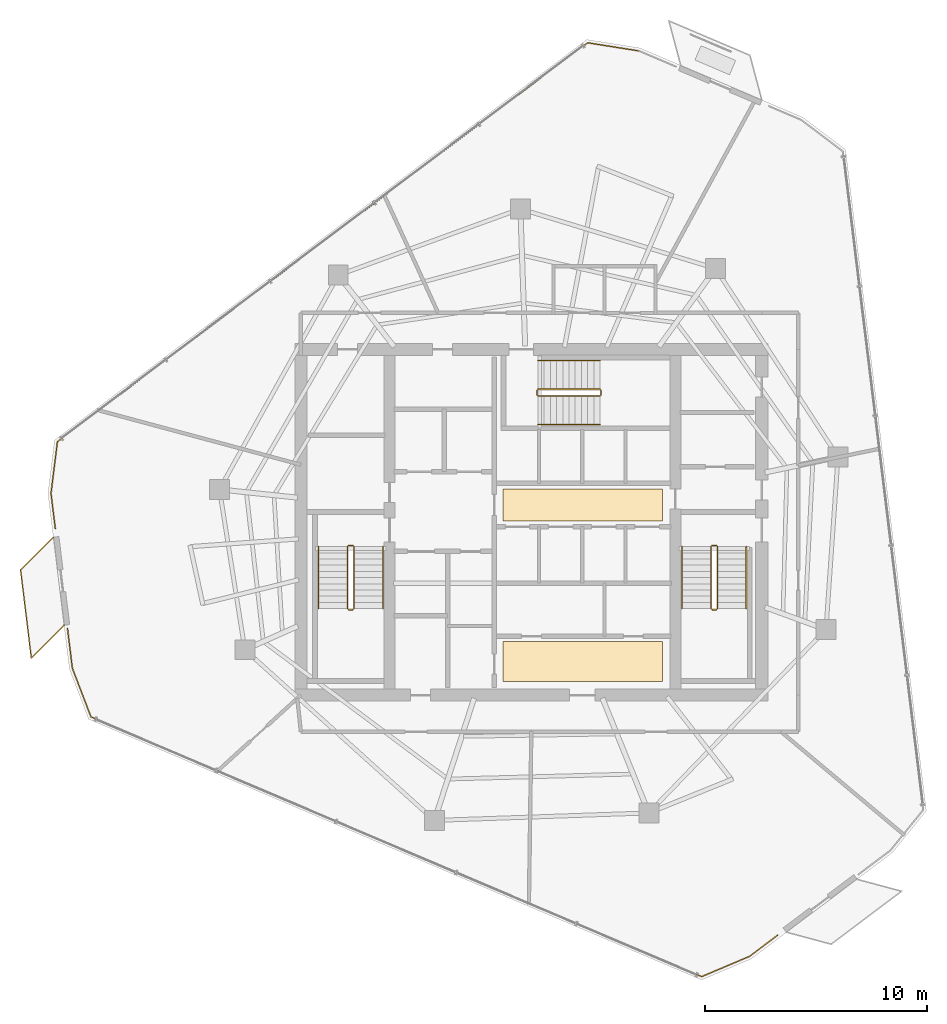
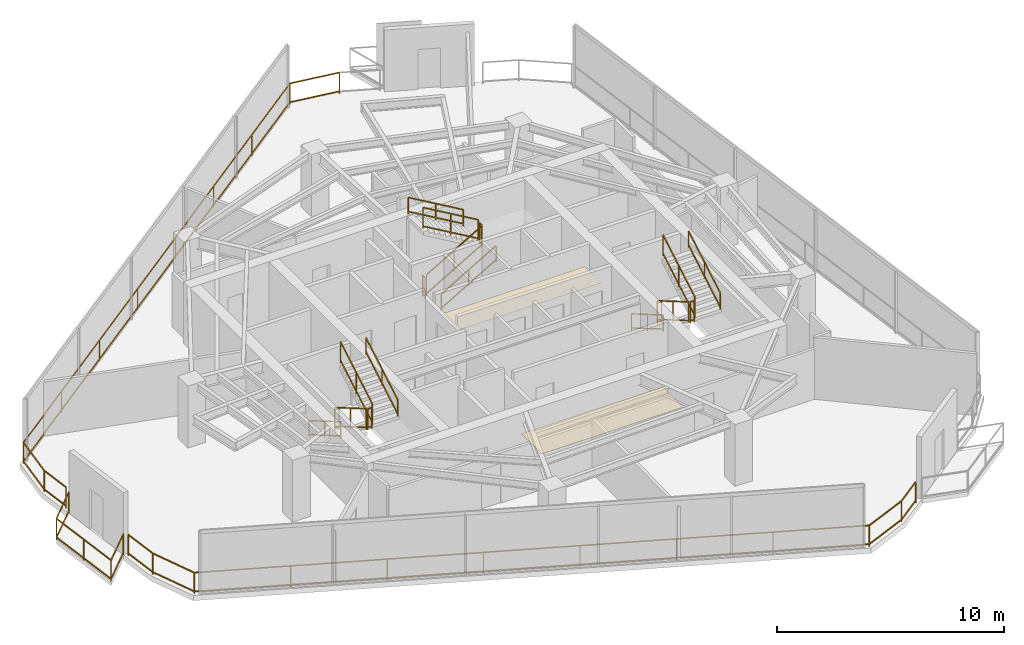
# One storey, part 17 of 18: 21 railings, 2 coverings.
"""IFC4 building model written with IfcOpenShell, lengths in metres."""

from ifc_helpers import new_model, si_unit, direction, frame, origin, origin_2d, place, context, subcontext, project, spatial, rectangle, extrude, material, layer, layer_set, type_object, element, save


model = new_model("IFC4")

# Units and contexts
model_context = context("Model", 3, precision=1e-05, world=origin(), true_north=direction((0.0, 1.0)))
body_context = subcontext(model_context, "Body", "Model", "MODEL_VIEW")
ifc_project = project(units=[si_unit("LENGTHUNIT", "METRE"), si_unit("AREAUNIT", "SQUARE_METRE"), si_unit("VOLUMEUNIT", "CUBIC_METRE"), si_unit("PLANEANGLEUNIT", "RADIAN"), si_unit("MASSUNIT", "GRAM", prefix="KILO")], contexts=[model_context])

# Site, building, storey
site_placement = place(None, origin())
site = spatial("IfcSite", under=ifc_project, at=site_placement, CompositionType="ELEMENT")
building_placement = place(site_placement, origin())
building = spatial("IfcBuilding", under=site, at=building_placement, Name="Qarnah Convention Tower", CompositionType="ELEMENT")
storey_placement = place(building_placement, frame((0.0, 0.0, 205.800048828125)))
storey = spatial("IfcBuildingStorey", under=building, at=storey_placement, Name="L55", CompositionType="ELEMENT", Elevation=205.800048828125)

# Coverings
ifc_material_1 = material(Name="Mineral fibre acoustic ceiling")
ifc_layer_1 = layer(ifc_material_1, 0.02001953125)
ifc_layer_set_1 = layer_set([ifc_layer_1], Name="Mineral fibre acoustic ceiling")
covering_type_1 = type_object("IfcCoveringType", Name="COV-CEIL-20", PredefinedType="CEILING", material=ifc_layer_set_1)
covering_1_placement = place(storey_placement, frame((39.52001953125, 27.179931640625, 2.2900390625), z_axis=(0.0, 0.0, 1.0), x_axis=(1.0, 0.0, 0.0)))
element("IfcCovering", 1, at=covering_1_placement, inside=storey, type_object=covering_type_1, Name="L55 lift lobby acoustic ceiling", PredefinedType="CEILING", context=body_context, shape_type="SweptSolid", body=[
    extrude(rectangle(XDim=7.199951171875, YDim=1.449951171875, at=origin_2d()), origin(), (0.0, 0.0, 1.0), 0.02001953125),
])
ifc_material_2 = material(Name="Porcelain stone floor tile", Category="masonry")
ifc_layer_2 = layer(ifc_material_2, 0.02001953125)
ifc_layer_set_2 = layer_set([ifc_layer_2], Name="Porcelain stone floor tile")
covering_type_2 = type_object("IfcCoveringType", Name="COV-FLOOR-20", PredefinedType="FLOORING", material=ifc_layer_set_2)
covering_2_placement = place(storey_placement, frame((39.52001953125, 20.1201171875, 0.0), z_axis=(0.0, 0.0, 1.0), x_axis=(1.0, 0.0, 0.0)))
element("IfcCovering", 2, at=covering_2_placement, inside=storey, type_object=covering_type_2, Name="L55 lift lobby porcelain stone flooring", PredefinedType="FLOORING", context=body_context, shape_type="SweptSolid", body=[
    extrude(rectangle(XDim=7.199951171875, YDim=1.800048828125, at=origin_2d()), origin(), (0.0, 0.0, 1.0), 0.02001953125),
])

# Railings
ifc_material_3 = material(Name="Black anodised aluminium", Category="aluminium")
railing_type_1 = type_object("IfcRailingType", Name="RL-EXT-GUARD-1150", PredefinedType="GUARDRAIL", material=ifc_material_3)
railing_1_placement = place(storey_placement, frame((48.321044921875, 7.76611328125, 0.0)))
element("IfcRailing", 3, at=railing_1_placement, inside=storey, type_object=railing_type_1, Name="L55 slab-edge perimeter safety guard 03", PredefinedType="GUARDRAIL", context=body_context, shape_type="SweptSolid", body=[
    extrude(rectangle(XDim=0.048095703125, YDim=0.048095703125, at=origin_2d()), frame((0.0, 0.0, 1.1259765625), z_axis=(-0.79885688923, -0.601521130576, 0.0), x_axis=(0.601521130576, -0.79885688923, 0.0)), (0.0, 0.0, 1.0), 1.591064453125),
    extrude(rectangle(XDim=0.048095703125, YDim=0.048095703125, at=origin_2d()), frame((0.0, 0.0, 0.1201171875), z_axis=(-0.79885688923, -0.601521130576, 0.0), x_axis=(0.601521130576, -0.79885688923, 0.0)), (0.0, 0.0, 1.0), 1.591064453125),
    extrude(rectangle(XDim=0.048095703125, YDim=0.048095703125, at=origin_2d()), frame((-1.27099609375, -0.95703125, 1.1259765625), z_axis=(-0.920771976918, -0.390101225993, 0.0), x_axis=(0.390101225993, -0.920771976918, 0.0)), (0.0, 0.0, 1.0), 2.34814453125),
    extrude(rectangle(XDim=0.048095703125, YDim=0.048095703125, at=origin_2d()), frame((-1.27099609375, -0.95703125, 0.1201171875), z_axis=(-0.920771976918, -0.390101225993, 0.0), x_axis=(0.390101225993, -0.920771976918, 0.0)), (0.0, 0.0, 1.0), 2.34814453125),
    extrude(rectangle(XDim=0.048095703125, YDim=0.048095703125, at=origin_2d()), frame((-3.43310546875, -1.873046875, 1.1259765625), z_axis=(-0.920223922439, 0.391392300091, 0.0), x_axis=(-0.391392300091, -0.920223922439, 0.0)), (0.0, 0.0, 1.0), 29.94921875),
    extrude(rectangle(XDim=0.048095703125, YDim=0.048095703125, at=origin_2d()), frame((-3.43310546875, -1.873046875, 0.1201171875), z_axis=(-0.920223922439, 0.391392300091, 0.0), x_axis=(-0.391392300091, -0.920223922439, 0.0)), (0.0, 0.0, 1.0), 29.94921875),
    extrude(rectangle(XDim=0.048095703125, YDim=0.048095703125, at=origin_2d()), frame((-30.9931640625, 9.848876953125, 1.1259765625), z_axis=(-0.357431074868, 0.93393951984, 0.0), x_axis=(-0.93393951984, -0.357431074868, 0.0)), (0.0, 0.0, 1.0), 2.346923828125),
    extrude(rectangle(XDim=0.048095703125, YDim=0.048095703125, at=origin_2d()), frame((-30.9931640625, 9.848876953125, 0.1201171875), z_axis=(-0.357431074868, 0.93393951984, 0.0), x_axis=(-0.93393951984, -0.357431074868, 0.0)), (0.0, 0.0, 1.0), 2.346923828125),
    extrude(rectangle(XDim=0.048095703125, YDim=0.048095703125, at=origin_2d()), frame((-31.83203125, 12.040771484375, 1.1259765625), z_axis=(-0.121500338018, 0.992591390181, 0.0), x_axis=(-0.992591390181, -0.121500338018, 0.0)), (0.0, 0.0, 1.0), 1.802490234375),
    extrude(rectangle(XDim=0.048095703125, YDim=0.048095703125, at=origin_2d()), frame((-31.83203125, 12.040771484375, 0.1201171875), z_axis=(-0.121500338018, 0.992591390181, 0.0), x_axis=(-0.992591390181, -0.121500338018, 0.0)), (0.0, 0.0, 1.0), 1.802490234375),
    extrude(rectangle(XDim=0.0419921875, YDim=0.0419921875, at=origin_2d()), origin(), (0.0, 0.0, 1.0), 1.101806640625),
    extrude(rectangle(XDim=0.0419921875, YDim=0.0419921875, at=origin_2d()), frame((-1.27099609375, -0.95703125, 0.0)), (0.0, 0.0, 1.0), 1.101806640625),
    extrude(rectangle(XDim=0.0419921875, YDim=0.0419921875, at=origin_2d()), frame((-3.43310546875, -1.873046875, 0.0)), (0.0, 0.0, 1.0), 1.101806640625),
    extrude(rectangle(XDim=0.0419921875, YDim=0.0419921875, at=origin_2d()), frame((-7.370361328125, -0.198486328125, 0.0)), (0.0, 0.0, 1.0), 1.101806640625),
    extrude(rectangle(XDim=0.0419921875, YDim=0.0419921875, at=origin_2d()), frame((-11.307373046875, 1.47607421875, 0.0)), (0.0, 0.0, 1.0), 1.101806640625),
    extrude(rectangle(XDim=0.0419921875, YDim=0.0419921875, at=origin_2d()), frame((-15.24462890625, 3.150634765625, 0.0)), (0.0, 0.0, 1.0), 1.101806640625),
    extrude(rectangle(XDim=0.0419921875, YDim=0.0419921875, at=origin_2d()), frame((-19.181640625, 4.8251953125, 0.0)), (0.0, 0.0, 1.0), 1.101806640625),
    extrude(rectangle(XDim=0.0419921875, YDim=0.0419921875, at=origin_2d()), frame((-23.118896484375, 6.499755859375, 0.0)), (0.0, 0.0, 1.0), 1.101806640625),
    extrude(rectangle(XDim=0.0419921875, YDim=0.0419921875, at=origin_2d()), frame((-27.055908203125, 8.17431640625, 0.0)), (0.0, 0.0, 1.0), 1.101806640625),
    extrude(rectangle(XDim=0.0419921875, YDim=0.0419921875, at=origin_2d()), frame((-30.9931640625, 9.848876953125, 0.0)), (0.0, 0.0, 1.0), 1.101806640625),
    extrude(rectangle(XDim=0.0419921875, YDim=0.0419921875, at=origin_2d()), frame((-31.83203125, 12.040771484375, 0.0)), (0.0, 0.0, 1.0), 1.101806640625),
    extrude(rectangle(XDim=0.0419921875, YDim=0.0419921875, at=origin_2d()), frame((-32.051025390625, 13.829833984375, 0.0)), (0.0, 0.0, 1.0), 1.101806640625),
])
railing_2_placement = place(storey_placement, frame((15.718017578125, 26.12109375, 0.0)))
element("IfcRailing", 4, at=railing_2_placement, inside=storey, type_object=railing_type_1, Name="L55 slab-edge perimeter safety guard 04", PredefinedType="GUARDRAIL", context=body_context, shape_type="SweptSolid", body=[
    extrude(rectangle(XDim=0.048095703125, YDim=0.048095703125, at=origin_2d()), frame((0.0, 0.0, 1.1259765625), z_axis=(-0.121408486114, 0.992602629202, 0.0), x_axis=(-0.992602629202, -0.121408486114, 0.0)), (0.0, 0.0, 1.0), 1.590576171875),
    extrude(rectangle(XDim=0.048095703125, YDim=0.048095703125, at=origin_2d()), frame((0.0, 0.0, 0.1201171875), z_axis=(-0.121408486114, 0.992602629202, 0.0), x_axis=(-0.992602629202, -0.121408486114, 0.0)), (0.0, 0.0, 1.0), 1.590576171875),
    extrude(rectangle(XDim=0.048095703125, YDim=0.048095703125, at=origin_2d()), frame((-0.193115234375, 1.578857421875, 1.1259765625), z_axis=(0.12270360089, 0.992443361774, 0.0), x_axis=(-0.992443361774, 0.12270360089, 0.0)), (0.0, 0.0, 1.0), 2.347900390625),
    extrude(rectangle(XDim=0.048095703125, YDim=0.048095703125, at=origin_2d()), frame((-0.193115234375, 1.578857421875, 0.1201171875), z_axis=(0.12270360089, 0.992443361774, 0.0), x_axis=(-0.992443361774, 0.12270360089, 0.0)), (0.0, 0.0, 1.0), 2.347900390625),
    extrude(rectangle(XDim=0.048095703125, YDim=0.048095703125, at=origin_2d()), frame((0.094970703125, 3.908935546875, 1.1259765625), z_axis=(0.799062817366, 0.601247547939, 0.0), x_axis=(-0.601247547939, 0.799062817366, 0.0)), (0.0, 0.0, 1.0), 29.947509765625),
    extrude(rectangle(XDim=0.048095703125, YDim=0.048095703125, at=origin_2d()), frame((0.094970703125, 3.908935546875, 0.1201171875), z_axis=(0.799062817366, 0.601247547939, 0.0), x_axis=(-0.601247547939, 0.799062817366, 0.0)), (0.0, 0.0, 1.0), 29.947509765625),
    extrude(rectangle(XDim=0.048095703125, YDim=0.048095703125, at=origin_2d()), frame((24.02490234375, 21.914794921875, 1.1259765625), z_axis=(0.987648046133, -0.156688662546, 0.0), x_axis=(0.156688662546, 0.987648046133, 0.0)), (0.0, 0.0, 1.0), 2.34814453125),
    extrude(rectangle(XDim=0.048095703125, YDim=0.048095703125, at=origin_2d()), frame((24.02490234375, 21.914794921875, 0.1201171875), z_axis=(0.987648046133, -0.156688662546, 0.0), x_axis=(0.156688662546, 0.987648046133, 0.0)), (0.0, 0.0, 1.0), 2.34814453125),
    extrude(rectangle(XDim=0.0419921875, YDim=0.0419921875, at=origin_2d()), origin(), (0.0, 0.0, 1.0), 1.101806640625),
    extrude(rectangle(XDim=0.0419921875, YDim=0.0419921875, at=origin_2d()), frame((-0.193115234375, 1.578857421875, 0.0)), (0.0, 0.0, 1.0), 1.101806640625),
    extrude(rectangle(XDim=0.0419921875, YDim=0.0419921875, at=origin_2d()), frame((0.094970703125, 3.908935546875, 0.0)), (0.0, 0.0, 1.0), 1.101806640625),
    extrude(rectangle(XDim=0.0419921875, YDim=0.0419921875, at=origin_2d()), frame((3.513427734375, 6.481201171875, 0.0)), (0.0, 0.0, 1.0), 1.101806640625),
    extrude(rectangle(XDim=0.0419921875, YDim=0.0419921875, at=origin_2d()), frame((6.93212890625, 9.053466796875, 0.0)), (0.0, 0.0, 1.0), 1.101806640625),
    extrude(rectangle(XDim=0.0419921875, YDim=0.0419921875, at=origin_2d()), frame((10.3505859375, 11.625732421875, 0.0)), (0.0, 0.0, 1.0), 1.101806640625),
    extrude(rectangle(XDim=0.0419921875, YDim=0.0419921875, at=origin_2d()), frame((13.769287109375, 14.197998046875, 0.0)), (0.0, 0.0, 1.0), 1.101806640625),
    extrude(rectangle(XDim=0.0419921875, YDim=0.0419921875, at=origin_2d()), frame((17.187744140625, 16.770263671875, 0.0)), (0.0, 0.0, 1.0), 1.101806640625),
    extrude(rectangle(XDim=0.0419921875, YDim=0.0419921875, at=origin_2d()), frame((20.6064453125, 19.342529296875, 0.0)), (0.0, 0.0, 1.0), 1.101806640625),
    extrude(rectangle(XDim=0.0419921875, YDim=0.0419921875, at=origin_2d()), frame((24.02490234375, 21.914794921875, 0.0)), (0.0, 0.0, 1.0), 1.101806640625),
    extrude(rectangle(XDim=0.0419921875, YDim=0.0419921875, at=origin_2d()), frame((26.343994140625, 21.546875, 0.0)), (0.0, 0.0, 1.0), 1.101806640625),
])
railing_3_placement = place(storey_placement, frame((16.114990234375, 21.751953125, 0.0)))
element("IfcRailing", 5, at=railing_3_placement, inside=storey, type_object=railing_type_1, Name="L55 balcony safety guard BAL-L55-C2", PredefinedType="GUARDRAIL", context=body_context, shape_type="SweptSolid", body=[
    extrude(rectangle(XDim=0.048095703125, YDim=0.048095703125, at=origin_2d()), frame((0.0, 0.0, 1.1259765625), z_axis=(-0.707572902842, -0.706640352063, 0.0), x_axis=(0.706640352063, -0.707572902842, 0.0)), (0.0, 0.0, 1.0), 2.094482421875),
    extrude(rectangle(XDim=0.048095703125, YDim=0.048095703125, at=origin_2d()), frame((0.0, 0.0, 0.1201171875), z_axis=(-0.707572902842, -0.706640352063, 0.0), x_axis=(0.706640352063, -0.707572902842, 0.0)), (0.0, 0.0, 1.0), 2.094482421875),
    extrude(rectangle(XDim=0.048095703125, YDim=0.048095703125, at=origin_2d()), frame((-1.48193359375, -1.47998046875, 1.1259765625), z_axis=(-0.121022107436, 0.992649812125, 0.0), x_axis=(-0.992649812125, -0.121022107436, 0.0)), (0.0, 0.0, 1.0), 4.000244140625),
    extrude(rectangle(XDim=0.048095703125, YDim=0.048095703125, at=origin_2d()), frame((-1.48193359375, -1.47998046875, 0.1201171875), z_axis=(-0.121022107436, 0.992649812125, 0.0), x_axis=(-0.992649812125, -0.121022107436, 0.0)), (0.0, 0.0, 1.0), 4.000244140625),
    extrude(rectangle(XDim=0.048095703125, YDim=0.048095703125, at=origin_2d()), frame((-1.966064453125, 2.490966796875, 1.1259765625), z_axis=(0.707573210309, 0.70664004419, 0.0), x_axis=(-0.70664004419, 0.707573210309, 0.0)), (0.0, 0.0, 1.0), 2.093017578125),
    extrude(rectangle(XDim=0.048095703125, YDim=0.048095703125, at=origin_2d()), frame((-1.966064453125, 2.490966796875, 0.1201171875), z_axis=(0.707573210309, 0.70664004419, 0.0), x_axis=(-0.70664004419, 0.707573210309, 0.0)), (0.0, 0.0, 1.0), 2.093017578125),
    extrude(rectangle(XDim=0.0419921875, YDim=0.0419921875, at=origin_2d()), origin(), (0.0, 0.0, 1.0), 1.101806640625),
    extrude(rectangle(XDim=0.0419921875, YDim=0.0419921875, at=origin_2d()), frame((-1.48193359375, -1.47998046875, 0.0)), (0.0, 0.0, 1.0), 1.101806640625),
    extrude(rectangle(XDim=0.0419921875, YDim=0.0419921875, at=origin_2d()), frame((-1.72412109375, 0.50537109375, 0.0)), (0.0, 0.0, 1.0), 1.101806640625),
    extrude(rectangle(XDim=0.0419921875, YDim=0.0419921875, at=origin_2d()), frame((-1.966064453125, 2.490966796875, 0.0)), (0.0, 0.0, 1.0), 1.101806640625),
    extrude(rectangle(XDim=0.0419921875, YDim=0.0419921875, at=origin_2d()), frame((-0.485107421875, 3.969970703125, 0.0)), (0.0, 0.0, 1.0), 1.101806640625),
])
ifc_material_4 = material(Name="Structural steel S355JR", Category="steel")
railing_type_2 = type_object("IfcRailingType", Name="RL-STAIR-GUARD-1150", PredefinedType="GUARDRAIL", material=ifc_material_4)
railing_4_placement = place(storey_placement, frame((28.89990234375, 25.300048828125, 0.16357421875)))
element("IfcRailing", 6, at=railing_4_placement, inside=storey, type_object=railing_type_2, Name="L55 ST-1 stair guard 1", PredefinedType="GUARDRAIL", context=body_context, shape_type="SweptSolid", body=[
    extrude(rectangle(XDim=0.048095703125, YDim=0.048095703125, at=origin_2d()), frame((0.0, 0.0, 1.1259765625), z_axis=(0.0, -0.863360870873, 0.504586966384), x_axis=(1.0, 0.0, 0.0)), (0.0, 0.0, 1.0), 3.2431640625),
    extrude(rectangle(XDim=0.048095703125, YDim=0.048095703125, at=origin_2d()), frame((0.0, 0.0, 0.1201171875), z_axis=(0.0, -0.863360870873, 0.504586966384), x_axis=(1.0, 0.0, 0.0)), (0.0, 0.0, 1.0), 3.2431640625),
    extrude(rectangle(XDim=0.0419921875, YDim=0.0419921875, at=origin_2d()), origin(), (0.0, 0.0, 1.0), 1.101806640625),
    extrude(rectangle(XDim=0.0419921875, YDim=0.0419921875, at=origin_2d()), frame((0.0, -1.39990234375, 0.818359375)), (0.0, 0.0, 1.0), 1.101806640625),
    extrude(rectangle(XDim=0.0419921875, YDim=0.0419921875, at=origin_2d()), frame((0.0, -2.800048828125, 1.636474609375)), (0.0, 0.0, 1.0), 1.101806640625),
])
railing_5_placement = place(storey_placement, frame((28.949951171875, 22.449951171875, 1.800048828125)))
element("IfcRailing", 7, at=railing_5_placement, inside=storey, type_object=railing_type_2, Name="L55 ST-1 stair guard 2", PredefinedType="GUARDRAIL", context=body_context, shape_type="SweptSolid", body=[
    extrude(rectangle(XDim=0.048095703125, YDim=0.048095703125, at=origin_2d()), frame((0.0, 0.0, 1.1259765625), z_axis=(1.0, 0.0, 0.0), x_axis=(0.0, 1.0, 0.0)), (0.0, 0.0, 1.0), 0.199951171875),
    extrude(rectangle(XDim=0.048095703125, YDim=0.048095703125, at=origin_2d()), frame((0.0, 0.0, 0.1201171875), z_axis=(1.0, 0.0, 0.0), x_axis=(0.0, 1.0, 0.0)), (0.0, 0.0, 1.0), 0.199951171875),
    extrude(rectangle(XDim=0.0419921875, YDim=0.0419921875, at=origin_2d()), origin(), (0.0, 0.0, 1.0), 1.101806640625),
    extrude(rectangle(XDim=0.0419921875, YDim=0.0419921875, at=origin_2d()), frame((0.199951171875, 0.0, 0.0)), (0.0, 0.0, 1.0), 1.101806640625),
])
railing_6_placement = place(storey_placement, frame((29.199951171875, 22.5, 1.963623046875)))
element("IfcRailing", 8, at=railing_6_placement, inside=storey, type_object=railing_type_2, Name="L55 ST-1 stair guard 3", PredefinedType="GUARDRAIL", context=body_context, shape_type="SweptSolid", body=[
    extrude(rectangle(XDim=0.048095703125, YDim=0.048095703125, at=origin_2d()), frame((0.0, 0.0, 1.1259765625), z_axis=(0.0, 0.863393664356, 0.504530851732), x_axis=(-1.0, 0.0, 0.0)), (0.0, 0.0, 1.0), 3.2431640625),
    extrude(rectangle(XDim=0.048095703125, YDim=0.048095703125, at=origin_2d()), frame((0.0, 0.0, 0.1201171875), z_axis=(0.0, 0.863393664356, 0.504530851732), x_axis=(-1.0, 0.0, 0.0)), (0.0, 0.0, 1.0), 3.2431640625),
    extrude(rectangle(XDim=0.0419921875, YDim=0.0419921875, at=origin_2d()), origin(), (0.0, 0.0, 1.0), 1.101806640625),
    extrude(rectangle(XDim=0.0419921875, YDim=0.0419921875, at=origin_2d()), frame((0.0, 1.39990234375, 0.818115234375)), (0.0, 0.0, 1.0), 1.101806640625),
    extrude(rectangle(XDim=0.0419921875, YDim=0.0419921875, at=origin_2d()), frame((0.0, 2.800048828125, 1.63623046875)), (0.0, 0.0, 1.0), 1.101806640625),
])
railing_7_placement = place(storey_placement, frame((28.949951171875, 25.35009765625, 0.0)))
element("IfcRailing", 9, at=railing_7_placement, inside=storey, type_object=railing_type_2, Name="L55 ST-1 stair guard 4", PredefinedType="GUARDRAIL", context=body_context, shape_type="SweptSolid", body=[
    extrude(rectangle(XDim=0.048095703125, YDim=0.048095703125, at=origin_2d()), frame((0.0, 0.0, 1.1259765625), z_axis=(1.0, 0.0, 0.0), x_axis=(0.0, 1.0, 0.0)), (0.0, 0.0, 1.0), 0.199951171875),
    extrude(rectangle(XDim=0.048095703125, YDim=0.048095703125, at=origin_2d()), frame((0.0, 0.0, 0.1201171875), z_axis=(1.0, 0.0, 0.0), x_axis=(0.0, 1.0, 0.0)), (0.0, 0.0, 1.0), 0.199951171875),
    extrude(rectangle(XDim=0.0419921875, YDim=0.0419921875, at=origin_2d()), origin(), (0.0, 0.0, 1.0), 1.101806640625),
    extrude(rectangle(XDim=0.0419921875, YDim=0.0419921875, at=origin_2d()), frame((0.199951171875, 0.0, 0.0)), (0.0, 0.0, 1.0), 1.101806640625),
])
railing_8_placement = place(storey_placement, frame((45.300048828125, 25.300048828125, 0.16357421875)))
element("IfcRailing", 10, at=railing_8_placement, inside=storey, type_object=railing_type_2, Name="L55 ST-2 stair guard 1", PredefinedType="GUARDRAIL", context=body_context, shape_type="SweptSolid", body=[
    extrude(rectangle(XDim=0.048095703125, YDim=0.048095703125, at=origin_2d()), frame((0.0, 0.0, 1.1259765625), z_axis=(0.0, -0.863360870873, 0.504586966384), x_axis=(1.0, 0.0, 0.0)), (0.0, 0.0, 1.0), 3.2431640625),
    extrude(rectangle(XDim=0.048095703125, YDim=0.048095703125, at=origin_2d()), frame((0.0, 0.0, 0.1201171875), z_axis=(0.0, -0.863360870873, 0.504586966384), x_axis=(1.0, 0.0, 0.0)), (0.0, 0.0, 1.0), 3.2431640625),
    extrude(rectangle(XDim=0.0419921875, YDim=0.0419921875, at=origin_2d()), origin(), (0.0, 0.0, 1.0), 1.101806640625),
    extrude(rectangle(XDim=0.0419921875, YDim=0.0419921875, at=origin_2d()), frame((0.0, -1.39990234375, 0.818359375)), (0.0, 0.0, 1.0), 1.101806640625),
    extrude(rectangle(XDim=0.0419921875, YDim=0.0419921875, at=origin_2d()), frame((0.0, -2.800048828125, 1.636474609375)), (0.0, 0.0, 1.0), 1.101806640625),
])
railing_9_placement = place(storey_placement, frame((45.35009765625, 22.449951171875, 1.800048828125)))
element("IfcRailing", 11, at=railing_9_placement, inside=storey, type_object=railing_type_2, Name="L55 ST-2 stair guard 2", PredefinedType="GUARDRAIL", context=body_context, shape_type="SweptSolid", body=[
    extrude(rectangle(XDim=0.048095703125, YDim=0.048095703125, at=origin_2d()), frame((0.0, 0.0, 1.1259765625), z_axis=(1.0, 0.0, 0.0), x_axis=(0.0, 1.0, 0.0)), (0.0, 0.0, 1.0), 0.199951171875),
    extrude(rectangle(XDim=0.048095703125, YDim=0.048095703125, at=origin_2d()), frame((0.0, 0.0, 0.1201171875), z_axis=(1.0, 0.0, 0.0), x_axis=(0.0, 1.0, 0.0)), (0.0, 0.0, 1.0), 0.199951171875),
    extrude(rectangle(XDim=0.0419921875, YDim=0.0419921875, at=origin_2d()), origin(), (0.0, 0.0, 1.0), 1.101806640625),
    extrude(rectangle(XDim=0.0419921875, YDim=0.0419921875, at=origin_2d()), frame((0.199951171875, 0.0, 0.0)), (0.0, 0.0, 1.0), 1.101806640625),
])
railing_10_placement = place(storey_placement, frame((45.60009765625, 22.5, 1.963623046875)))
element("IfcRailing", 12, at=railing_10_placement, inside=storey, type_object=railing_type_2, Name="L55 ST-2 stair guard 3", PredefinedType="GUARDRAIL", context=body_context, shape_type="SweptSolid", body=[
    extrude(rectangle(XDim=0.048095703125, YDim=0.048095703125, at=origin_2d()), frame((0.0, 0.0, 1.1259765625), z_axis=(0.0, 0.863393664356, 0.504530851732), x_axis=(-1.0, 0.0, 0.0)), (0.0, 0.0, 1.0), 3.2431640625),
    extrude(rectangle(XDim=0.048095703125, YDim=0.048095703125, at=origin_2d()), frame((0.0, 0.0, 0.1201171875), z_axis=(0.0, 0.863393664356, 0.504530851732), x_axis=(-1.0, 0.0, 0.0)), (0.0, 0.0, 1.0), 3.2431640625),
    extrude(rectangle(XDim=0.0419921875, YDim=0.0419921875, at=origin_2d()), origin(), (0.0, 0.0, 1.0), 1.101806640625),
    extrude(rectangle(XDim=0.0419921875, YDim=0.0419921875, at=origin_2d()), frame((0.0, 1.39990234375, 0.818115234375)), (0.0, 0.0, 1.0), 1.101806640625),
    extrude(rectangle(XDim=0.0419921875, YDim=0.0419921875, at=origin_2d()), frame((0.0, 2.800048828125, 1.63623046875)), (0.0, 0.0, 1.0), 1.101806640625),
])
railing_11_placement = place(storey_placement, frame((45.35009765625, 25.35009765625, 0.0)))
element("IfcRailing", 13, at=railing_11_placement, inside=storey, type_object=railing_type_2, Name="L55 ST-2 stair guard 4", PredefinedType="GUARDRAIL", context=body_context, shape_type="SweptSolid", body=[
    extrude(rectangle(XDim=0.048095703125, YDim=0.048095703125, at=origin_2d()), frame((0.0, 0.0, 1.1259765625), z_axis=(1.0, 0.0, 0.0), x_axis=(0.0, 1.0, 0.0)), (0.0, 0.0, 1.0), 0.199951171875),
    extrude(rectangle(XDim=0.048095703125, YDim=0.048095703125, at=origin_2d()), frame((0.0, 0.0, 0.1201171875), z_axis=(1.0, 0.0, 0.0), x_axis=(0.0, 1.0, 0.0)), (0.0, 0.0, 1.0), 0.199951171875),
    extrude(rectangle(XDim=0.0419921875, YDim=0.0419921875, at=origin_2d()), origin(), (0.0, 0.0, 1.0), 1.101806640625),
    extrude(rectangle(XDim=0.0419921875, YDim=0.0419921875, at=origin_2d()), frame((0.199951171875, 0.0, 0.0)), (0.0, 0.0, 1.0), 1.101806640625),
])
railing_12_placement = place(storey_placement, frame((37.5, 32.10009765625, 0.16357421875)))
element("IfcRailing", 14, at=railing_12_placement, inside=storey, type_object=railing_type_2, Name="L55 ST-3 stair guard 1", PredefinedType="GUARDRAIL", context=body_context, shape_type="SweptSolid", body=[
    extrude(rectangle(XDim=0.048095703125, YDim=0.048095703125, at=origin_2d()), frame((0.0, 0.0, 1.1259765625), z_axis=(0.863360870873, 0.0, 0.504586966384), x_axis=(0.0, 1.0, 0.0)), (0.0, 0.0, 1.0), 3.2431640625),
    extrude(rectangle(XDim=0.048095703125, YDim=0.048095703125, at=origin_2d()), frame((0.0, 0.0, 0.1201171875), z_axis=(0.863360870873, 0.0, 0.504586966384), x_axis=(0.0, 1.0, 0.0)), (0.0, 0.0, 1.0), 3.2431640625),
    extrude(rectangle(XDim=0.0419921875, YDim=0.0419921875, at=origin_2d()), origin(), (0.0, 0.0, 1.0), 1.101806640625),
    extrude(rectangle(XDim=0.0419921875, YDim=0.0419921875, at=origin_2d()), frame((1.39990234375, 0.0, 0.818359375)), (0.0, 0.0, 1.0), 1.101806640625),
    extrude(rectangle(XDim=0.0419921875, YDim=0.0419921875, at=origin_2d()), frame((2.800048828125, 0.0, 1.636474609375)), (0.0, 0.0, 1.0), 1.101806640625),
])
railing_13_placement = place(storey_placement, frame((40.35009765625, 32.14990234375, 1.800048828125)))
element("IfcRailing", 15, at=railing_13_placement, inside=storey, type_object=railing_type_2, Name="L55 ST-3 stair guard 2", PredefinedType="GUARDRAIL", context=body_context, shape_type="SweptSolid", body=[
    extrude(rectangle(XDim=0.048095703125, YDim=0.048095703125, at=origin_2d()), frame((0.0, 0.0, 1.1259765625), z_axis=(0.0, 1.0, 0.0), x_axis=(-1.0, 0.0, 0.0)), (0.0, 0.0, 1.0), 0.2001953125),
    extrude(rectangle(XDim=0.048095703125, YDim=0.048095703125, at=origin_2d()), frame((0.0, 0.0, 0.1201171875), z_axis=(0.0, 1.0, 0.0), x_axis=(-1.0, 0.0, 0.0)), (0.0, 0.0, 1.0), 0.2001953125),
    extrude(rectangle(XDim=0.0419921875, YDim=0.0419921875, at=origin_2d()), origin(), (0.0, 0.0, 1.0), 1.101806640625),
    extrude(rectangle(XDim=0.0419921875, YDim=0.0419921875, at=origin_2d()), frame((0.0, 0.2001953125, 0.0)), (0.0, 0.0, 1.0), 1.101806640625),
])
railing_14_placement = place(storey_placement, frame((40.300048828125, 32.39990234375, 1.963623046875)))
element("IfcRailing", 16, at=railing_14_placement, inside=storey, type_object=railing_type_2, Name="L55 ST-3 stair guard 3", PredefinedType="GUARDRAIL", context=body_context, shape_type="SweptSolid", body=[
    extrude(rectangle(XDim=0.048095703125, YDim=0.048095703125, at=origin_2d()), frame((0.0, 0.0, 1.1259765625), z_axis=(-0.863393664356, 0.0, 0.504530851732), x_axis=(0.0, -1.0, 0.0)), (0.0, 0.0, 1.0), 3.2431640625),
    extrude(rectangle(XDim=0.048095703125, YDim=0.048095703125, at=origin_2d()), frame((0.0, 0.0, 0.1201171875), z_axis=(-0.863393664356, 0.0, 0.504530851732), x_axis=(0.0, -1.0, 0.0)), (0.0, 0.0, 1.0), 3.2431640625),
    extrude(rectangle(XDim=0.0419921875, YDim=0.0419921875, at=origin_2d()), origin(), (0.0, 0.0, 1.0), 1.101806640625),
    extrude(rectangle(XDim=0.0419921875, YDim=0.0419921875, at=origin_2d()), frame((-1.39990234375, 0.0, 0.818115234375)), (0.0, 0.0, 1.0), 1.101806640625),
    extrude(rectangle(XDim=0.0419921875, YDim=0.0419921875, at=origin_2d()), frame((-2.800048828125, 0.0, 1.63623046875)), (0.0, 0.0, 1.0), 1.101806640625),
])
railing_15_placement = place(storey_placement, frame((37.449951171875, 32.14990234375, 0.0)))
element("IfcRailing", 17, at=railing_15_placement, inside=storey, type_object=railing_type_2, Name="L55 ST-3 stair guard 4", PredefinedType="GUARDRAIL", context=body_context, shape_type="SweptSolid", body=[
    extrude(rectangle(XDim=0.048095703125, YDim=0.048095703125, at=origin_2d()), frame((0.0, 0.0, 1.1259765625), z_axis=(0.0, 1.0, 0.0), x_axis=(-1.0, 0.0, 0.0)), (0.0, 0.0, 1.0), 0.2001953125),
    extrude(rectangle(XDim=0.048095703125, YDim=0.048095703125, at=origin_2d()), frame((0.0, 0.0, 0.1201171875), z_axis=(0.0, 1.0, 0.0), x_axis=(-1.0, 0.0, 0.0)), (0.0, 0.0, 1.0), 0.2001953125),
    extrude(rectangle(XDim=0.0419921875, YDim=0.0419921875, at=origin_2d()), origin(), (0.0, 0.0, 1.0), 1.101806640625),
    extrude(rectangle(XDim=0.0419921875, YDim=0.0419921875, at=origin_2d()), frame((0.0, 0.2001953125, 0.0)), (0.0, 0.0, 1.0), 1.101806640625),
])
railing_type_3 = type_object("IfcRailingType", Name="RL-STAIR-HAND-900", PredefinedType="HANDRAIL", material=ifc_material_4)
railing_16_placement = place(storey_placement, frame((27.60009765625, 25.300048828125, 0.16357421875)))
element("IfcRailing", 18, at=railing_16_placement, inside=storey, type_object=railing_type_3, Name="L55 ST-1 stair handrail 1", PredefinedType="HANDRAIL", context=body_context, shape_type="SweptSolid", body=[
    extrude(rectangle(XDim=0.048095703125, YDim=0.048095703125, at=origin_2d()), frame((0.0, 0.0, 0.8759765625), z_axis=(0.0, -0.863360870873, 0.504586966384), x_axis=(1.0, 0.0, 0.0)), (0.0, 0.0, 1.0), 3.2431640625),
    extrude(rectangle(XDim=0.048095703125, YDim=0.048095703125, at=origin_2d()), frame((0.0, 0.0, 0.1201171875), z_axis=(0.0, -0.863360870873, 0.504586966384), x_axis=(1.0, 0.0, 0.0)), (0.0, 0.0, 1.0), 3.2431640625),
    extrude(rectangle(XDim=0.0419921875, YDim=0.0419921875, at=origin_2d()), origin(), (0.0, 0.0, 1.0), 0.851806640625),
    extrude(rectangle(XDim=0.0419921875, YDim=0.0419921875, at=origin_2d()), frame((0.0, -1.39990234375, 0.818359375)), (0.0, 0.0, 1.0), 0.851806640625),
    extrude(rectangle(XDim=0.0419921875, YDim=0.0419921875, at=origin_2d()), frame((0.0, -2.800048828125, 1.636474609375)), (0.0, 0.0, 1.0), 0.851806640625),
])
railing_17_placement = place(storey_placement, frame((30.5, 22.5, 1.963623046875)))
element("IfcRailing", 19, at=railing_17_placement, inside=storey, type_object=railing_type_3, Name="L55 ST-1 stair handrail 2", PredefinedType="HANDRAIL", context=body_context, shape_type="SweptSolid", body=[
    extrude(rectangle(XDim=0.048095703125, YDim=0.048095703125, at=origin_2d()), frame((0.0, 0.0, 0.8759765625), z_axis=(0.0, 0.863393664356, 0.504530851732), x_axis=(-1.0, 0.0, 0.0)), (0.0, 0.0, 1.0), 3.2431640625),
    extrude(rectangle(XDim=0.048095703125, YDim=0.048095703125, at=origin_2d()), frame((0.0, 0.0, 0.1201171875), z_axis=(0.0, 0.863393664356, 0.504530851732), x_axis=(-1.0, 0.0, 0.0)), (0.0, 0.0, 1.0), 3.2431640625),
    extrude(rectangle(XDim=0.0419921875, YDim=0.0419921875, at=origin_2d()), origin(), (0.0, 0.0, 1.0), 0.851806640625),
    extrude(rectangle(XDim=0.0419921875, YDim=0.0419921875, at=origin_2d()), frame((0.0, 1.39990234375, 0.818115234375)), (0.0, 0.0, 1.0), 0.851806640625),
    extrude(rectangle(XDim=0.0419921875, YDim=0.0419921875, at=origin_2d()), frame((0.0, 2.800048828125, 1.63623046875)), (0.0, 0.0, 1.0), 0.851806640625),
])
railing_18_placement = place(storey_placement, frame((44.0, 25.300048828125, 0.16357421875)))
element("IfcRailing", 20, at=railing_18_placement, inside=storey, type_object=railing_type_3, Name="L55 ST-2 stair handrail 1", PredefinedType="HANDRAIL", context=body_context, shape_type="SweptSolid", body=[
    extrude(rectangle(XDim=0.048095703125, YDim=0.048095703125, at=origin_2d()), frame((0.0, 0.0, 0.8759765625), z_axis=(0.0, -0.863360870873, 0.504586966384), x_axis=(1.0, 0.0, 0.0)), (0.0, 0.0, 1.0), 3.2431640625),
    extrude(rectangle(XDim=0.048095703125, YDim=0.048095703125, at=origin_2d()), frame((0.0, 0.0, 0.1201171875), z_axis=(0.0, -0.863360870873, 0.504586966384), x_axis=(1.0, 0.0, 0.0)), (0.0, 0.0, 1.0), 3.2431640625),
    extrude(rectangle(XDim=0.0419921875, YDim=0.0419921875, at=origin_2d()), origin(), (0.0, 0.0, 1.0), 0.851806640625),
    extrude(rectangle(XDim=0.0419921875, YDim=0.0419921875, at=origin_2d()), frame((0.0, -1.39990234375, 0.818359375)), (0.0, 0.0, 1.0), 0.851806640625),
    extrude(rectangle(XDim=0.0419921875, YDim=0.0419921875, at=origin_2d()), frame((0.0, -2.800048828125, 1.636474609375)), (0.0, 0.0, 1.0), 0.851806640625),
])
railing_19_placement = place(storey_placement, frame((46.89990234375, 22.5, 1.963623046875)))
element("IfcRailing", 21, at=railing_19_placement, inside=storey, type_object=railing_type_3, Name="L55 ST-2 stair handrail 2", PredefinedType="HANDRAIL", context=body_context, shape_type="SweptSolid", body=[
    extrude(rectangle(XDim=0.048095703125, YDim=0.048095703125, at=origin_2d()), frame((0.0, 0.0, 0.8759765625), z_axis=(0.0, 0.863393664356, 0.504530851732), x_axis=(-1.0, 0.0, 0.0)), (0.0, 0.0, 1.0), 3.2431640625),
    extrude(rectangle(XDim=0.048095703125, YDim=0.048095703125, at=origin_2d()), frame((0.0, 0.0, 0.1201171875), z_axis=(0.0, 0.863393664356, 0.504530851732), x_axis=(-1.0, 0.0, 0.0)), (0.0, 0.0, 1.0), 3.2431640625),
    extrude(rectangle(XDim=0.0419921875, YDim=0.0419921875, at=origin_2d()), origin(), (0.0, 0.0, 1.0), 0.851806640625),
    extrude(rectangle(XDim=0.0419921875, YDim=0.0419921875, at=origin_2d()), frame((0.0, 1.39990234375, 0.818115234375)), (0.0, 0.0, 1.0), 0.851806640625),
    extrude(rectangle(XDim=0.0419921875, YDim=0.0419921875, at=origin_2d()), frame((0.0, 2.800048828125, 1.63623046875)), (0.0, 0.0, 1.0), 0.851806640625),
])
railing_20_placement = place(storey_placement, frame((37.5, 30.800048828125, 0.16357421875)))
element("IfcRailing", 22, at=railing_20_placement, inside=storey, type_object=railing_type_3, Name="L55 ST-3 stair handrail 1", PredefinedType="HANDRAIL", context=body_context, shape_type="SweptSolid", body=[
    extrude(rectangle(XDim=0.048095703125, YDim=0.048095703125, at=origin_2d()), frame((0.0, 0.0, 0.8759765625), z_axis=(0.863360870873, 0.0, 0.504586966384), x_axis=(0.0, 1.0, 0.0)), (0.0, 0.0, 1.0), 3.2431640625),
    extrude(rectangle(XDim=0.048095703125, YDim=0.048095703125, at=origin_2d()), frame((0.0, 0.0, 0.1201171875), z_axis=(0.863360870873, 0.0, 0.504586966384), x_axis=(0.0, 1.0, 0.0)), (0.0, 0.0, 1.0), 3.2431640625),
    extrude(rectangle(XDim=0.0419921875, YDim=0.0419921875, at=origin_2d()), origin(), (0.0, 0.0, 1.0), 0.851806640625),
    extrude(rectangle(XDim=0.0419921875, YDim=0.0419921875, at=origin_2d()), frame((1.39990234375, 0.0, 0.818359375)), (0.0, 0.0, 1.0), 0.851806640625),
    extrude(rectangle(XDim=0.0419921875, YDim=0.0419921875, at=origin_2d()), frame((2.800048828125, 0.0, 1.636474609375)), (0.0, 0.0, 1.0), 0.851806640625),
])
railing_21_placement = place(storey_placement, frame((40.300048828125, 33.699951171875, 1.963623046875)))
element("IfcRailing", 23, at=railing_21_placement, inside=storey, type_object=railing_type_3, Name="L55 ST-3 stair handrail 2", PredefinedType="HANDRAIL", context=body_context, shape_type="SweptSolid", body=[
    extrude(rectangle(XDim=0.048095703125, YDim=0.048095703125, at=origin_2d()), frame((0.0, 0.0, 0.8759765625), z_axis=(-0.863393664356, 0.0, 0.504530851732), x_axis=(0.0, -1.0, 0.0)), (0.0, 0.0, 1.0), 3.2431640625),
    extrude(rectangle(XDim=0.048095703125, YDim=0.048095703125, at=origin_2d()), frame((0.0, 0.0, 0.1201171875), z_axis=(-0.863393664356, 0.0, 0.504530851732), x_axis=(0.0, -1.0, 0.0)), (0.0, 0.0, 1.0), 3.2431640625),
    extrude(rectangle(XDim=0.0419921875, YDim=0.0419921875, at=origin_2d()), origin(), (0.0, 0.0, 1.0), 0.851806640625),
    extrude(rectangle(XDim=0.0419921875, YDim=0.0419921875, at=origin_2d()), frame((-1.39990234375, 0.0, 0.818115234375)), (0.0, 0.0, 1.0), 0.851806640625),
    extrude(rectangle(XDim=0.0419921875, YDim=0.0419921875, at=origin_2d()), frame((-2.800048828125, 0.0, 1.63623046875)), (0.0, 0.0, 1.0), 0.851806640625),
])

save(model, "model.ifc")
